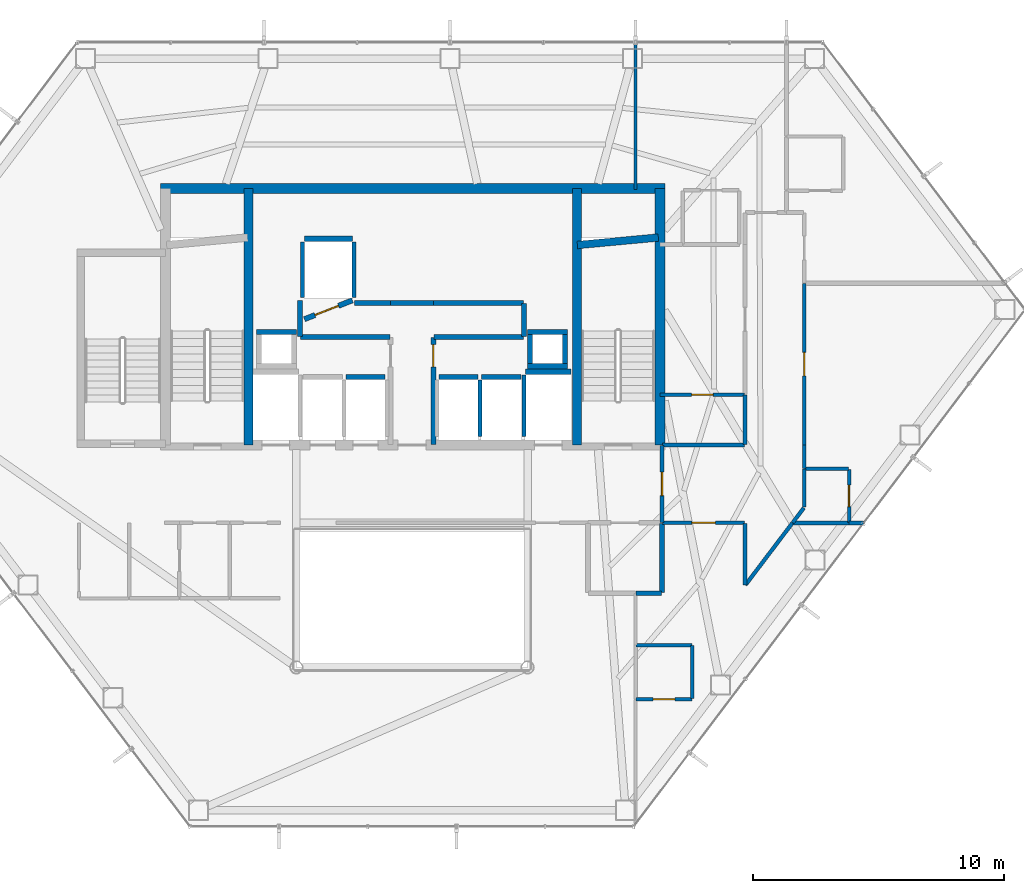
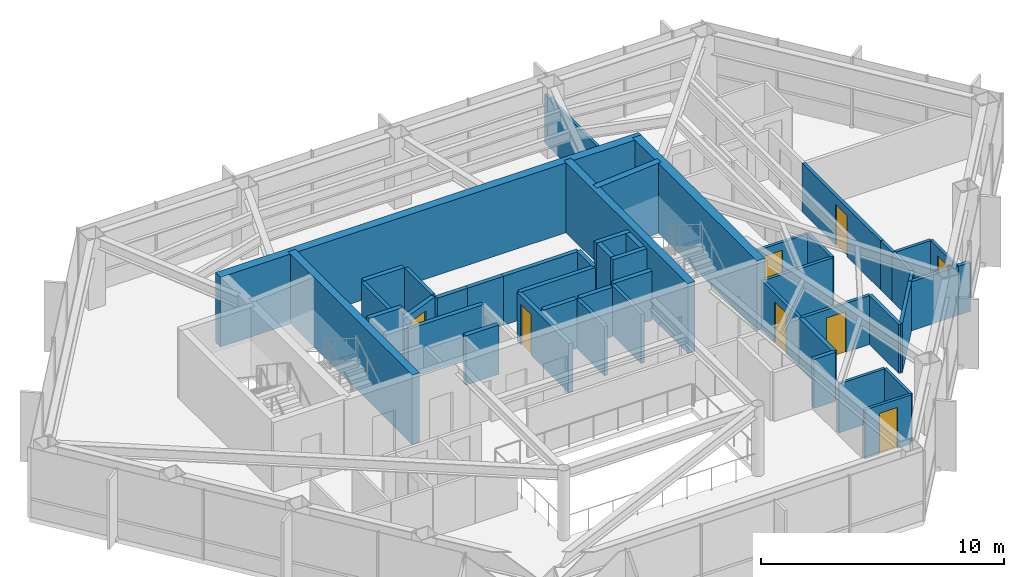
# One storey, part 26 of 28: 49 walls, 8 doors, 8 openings.
"""IFC4 building model written with IfcOpenShell, lengths in metres."""

import ifcopenshell
import ifcopenshell.guid

model = None  # the IFC model being written
_history = None  # IfcOwnerHistory: only IFC2X3 demands one
_inside = {}  # id of a spatial element -> (the spatial element, [elements in it])
_under = {}  # id of a project, library or spatial element -> (it, [spatial elements below it])
_declared = {}  # id of a project -> (the project, [libraries it declares])
_typed = {}  # id of a type object -> (the type object, [elements of that type])
_made_of = {}  # id of a material, layer set ... -> (it, [elements and type objects made of it])


def new_model(schema):
    """Start an empty IFC model of exactly this schema.

    Asked for "IFC4X3", IfcOpenShell would pick the latest addendum, in which some entities
    have other attributes; the version numbers below select the first issue.
    IFC2X3 requires an IfcOwnerHistory on every rooted entity: one is made here for all.
    """
    global model, _history
    if schema == "IFC4X3":
        model = ifcopenshell.file(schema_version=(4, 3, 0, 0))
    else:
        model = ifcopenshell.file(schema=schema)
    _inside.clear()
    _under.clear()
    _declared.clear()
    _typed.clear()
    _made_of.clear()
    _history = None
    if model.schema == "IFC2X3":
        org = make("IfcOrganization", Name="unknown")
        user = make(
            "IfcPersonAndOrganization",
            ThePerson=make("IfcPerson", FamilyName="unknown"),
            TheOrganization=org,
        )
        app = make(
            "IfcApplication",
            ApplicationDeveloper=org,
            Version="unknown",
            ApplicationFullName="unknown",
            ApplicationIdentifier="unknown",
        )
        _history = make(
            "IfcOwnerHistory",
            OwningUser=user,
            OwningApplication=app,
            ChangeAction="ADDED",
            CreationDate=0,
        )
    return model


def make(cls, **values):
    """One entity of the class cls with the attributes given. An attribute that is None is left unset."""
    return model.create_entity(
        cls, **{name: value for name, value in values.items() if value is not None}
    )


def rooted(cls, **values):
    """An entity with a GlobalId (a new one), such as an element, a storey or a relation."""
    return make(cls, GlobalId=ifcopenshell.guid.new(), OwnerHistory=_history, **values)


def si_unit(unit_type, name, prefix=None):
    """IfcSIUnit, for example si_unit("LENGTHUNIT", "METRE", prefix="MILLI")."""
    return make("IfcSIUnit", UnitType=unit_type, Prefix=prefix, Name=name)


def assignment(units):
    """IfcUnitAssignment: the units of a project."""
    return None if units is None else make("IfcUnitAssignment", Units=units)


def point(xyz):
    """IfcCartesianPoint."""
    return None if xyz is None else make("IfcCartesianPoint", Coordinates=xyz)


def direction(xyz):
    """IfcDirection."""
    return None if xyz is None else make("IfcDirection", DirectionRatios=xyz)


def frame(location, z_axis=None, x_axis=None):
    """IfcAxis2Placement3D, a coordinate frame: its origin and axes. An axis left out is left unset."""
    return make(
        "IfcAxis2Placement3D",
        Location=point(location),
        Axis=direction(z_axis),
        RefDirection=direction(x_axis),
    )


def frame_2d(location, x_axis=None):
    """IfcAxis2Placement2D, a coordinate frame in the plane: its origin and x axis."""
    return make(
        "IfcAxis2Placement2D", Location=point(location), RefDirection=direction(x_axis)
    )


def origin():
    """The frame at (0, 0, 0) with its axes left unset."""
    return frame((0.0, 0.0, 0.0))


def place(relative_to, where):
    """IfcLocalPlacement: puts the frame where relative to a parent placement (None: the world)."""
    return make(
        "IfcLocalPlacement", PlacementRelTo=relative_to, RelativePlacement=where
    )


def context(
    kind, dimensions, precision=None, world=None, true_north=None, identifier=None
):
    """IfcGeometricRepresentationContext, for example the 3D "Model" context."""
    return make(
        "IfcGeometricRepresentationContext",
        ContextIdentifier=identifier,
        ContextType=kind,
        CoordinateSpaceDimension=dimensions,
        Precision=precision,
        WorldCoordinateSystem=world,
        TrueNorth=true_north,
    )


def subcontext(parent, identifier, kind, view, scale=None):
    """IfcGeometricRepresentationSubContext, for example "Body" below "Model"."""
    return make(
        "IfcGeometricRepresentationSubContext",
        ContextIdentifier=identifier,
        ContextType=kind,
        ParentContext=parent,
        TargetScale=scale,
        TargetView=view,
    )


def project(units=None, contexts=None):
    """IfcProject with its units and contexts."""
    return rooted(
        "IfcProject",
        Name="project",
        RepresentationContexts=contexts,
        UnitsInContext=assignment(units),
    )


def spatial(cls, under=None, at=None, **own):
    """A site, building, storey or space (cls), placed at a placement, below another one or the project."""
    s = rooted(cls, ObjectPlacement=at, **own)
    if under is not None:
        _under.setdefault(under.id(), (under, []))[1].append(s)
    return s


def profile(cls, at=None, kind="AREA", **sizes):
    """A parametric profile (cls). Its sizes go by their IFC names, for example OverallWidth=200.0."""
    return make(cls, ProfileType=kind, Position=at, **sizes)


def rectangle(**sizes):
    """IfcRectangleProfileDef."""
    return profile("IfcRectangleProfileDef", **sizes)


def extrude(swept, where, along, depth):
    """IfcExtrudedAreaSolid: the profile swept, set in the frame where, extruded along a direction by depth."""
    return make(
        "IfcExtrudedAreaSolid",
        SweptArea=swept,
        Position=where,
        ExtrudedDirection=direction(along),
        Depth=depth,
    )


def shape(context_of_items, identifier, shape_type, items):
    """IfcShapeRepresentation: the items that make up one representation, for example the "Body"."""
    return make(
        "IfcShapeRepresentation",
        ContextOfItems=context_of_items,
        RepresentationIdentifier=identifier,
        RepresentationType=shape_type,
        Items=items,
    )


def material(Name=None, Category=None):
    """IfcMaterial."""
    return make("IfcMaterial", Name=Name, Category=Category)


def layer(
    of_material, thickness, ventilated=None, Name=None, Category=None, Priority=None
):
    """IfcMaterialLayer: one layer of a wall or slab, of a material (None: an air gap)."""
    return make(
        "IfcMaterialLayer",
        Material=of_material,
        LayerThickness=thickness,
        IsVentilated=ventilated,
        Name=Name,
        Category=Category,
        Priority=Priority,
    )


def layer_set(layers, Name=None):
    """IfcMaterialLayerSet."""
    return make("IfcMaterialLayerSet", MaterialLayers=layers, LayerSetName=Name)


def made_of(thing, what):
    """Note that an element or type object is made of a material, layer set ...; save() writes the relation."""
    if what is not None:
        _made_of.setdefault(what.id(), (what, []))[1].append(thing)
    return thing


def type_object(cls, material=None, **own):
    """A type object (cls), such as IfcWallType, which elements share."""
    return made_of(rooted(cls, **own), material)


def element(
    cls,
    number,
    at=None,
    inside=None,
    cuts=None,
    type_object=None,
    material=None,
    context=None,
    identifier="Body",
    shape_type=None,
    held_by="IfcProductDefinitionShape",
    body=None,
    shapes=None,
    **own,
):
    """One element of the class cls, such as IfcWall. Its Tag is "e" and its number.

    at: its placement. inside: the storey or other place that contains it. cuts: it is an
    opening in that element (IfcRelVoidsElement). A single representation is given by context,
    identifier, shape_type and body (its items); several are given by shapes. held_by: the class
    of the entity that holds the representations. save() writes the other relations.
    """
    e = rooted(cls, Tag="e%d" % number, ObjectPlacement=at, **own)
    if body is not None:
        shapes = [shape(context, identifier, shape_type, body)]
    if shapes is not None:
        e.Representation = make(held_by, Representations=shapes)
    if inside is not None:
        _inside.setdefault(inside.id(), (inside, []))[1].append(e)
    if cuts is not None:
        rooted(
            "IfcRelVoidsElement", RelatingBuildingElement=cuts, RelatedOpeningElement=e
        )
    if type_object is not None:
        _typed.setdefault(type_object.id(), (type_object, []))[1].append(e)
    return made_of(e, material)


def fill(opening, filler):
    """IfcRelFillsElement: the door or window that sits in an opening."""
    return rooted(
        "IfcRelFillsElement",
        RelatingOpeningElement=opening,
        RelatedBuildingElement=filler,
    )


def aggregate(whole, parts):
    """IfcRelAggregates: a whole, such as a stair, and the parts it consists of."""
    return rooted("IfcRelAggregates", RelatingObject=whole, RelatedObjects=parts)


def save(model, path):
    """Write the relations noted so far, then the file.

    IfcRelAggregates (storeys below a building ...), IfcRelContainedInSpatialStructure (elements
    in a storey), IfcRelDefinesByType, IfcRelAssociatesMaterial and IfcRelDeclares: one each for
    every whole, place, type object, material and project.
    """
    for whole, parts in _under.values():
        aggregate(whole, parts)
    for where, things in _inside.values():
        rooted(
            "IfcRelContainedInSpatialStructure",
            RelatedElements=things,
            RelatingStructure=where,
        )
    for kind, things in _typed.values():
        rooted("IfcRelDefinesByType", RelatedObjects=things, RelatingType=kind)
    for what, things in _made_of.values():
        rooted("IfcRelAssociatesMaterial", RelatedObjects=things, RelatingMaterial=what)
    for by, libraries in _declared.values():
        rooted("IfcRelDeclares", RelatingContext=by, RelatedDefinitions=libraries)
    model.write(path)


model = new_model("IFC4")

# Units and contexts
model_context = context("Model", 3, precision=1e-05, world=origin(), true_north=direction((0.0, 1.0)))
body_context = subcontext(model_context, "Body", "Model", "MODEL_VIEW")
ifc_project = project(units=[si_unit("LENGTHUNIT", "METRE"), si_unit("AREAUNIT", "SQUARE_METRE"), si_unit("VOLUMEUNIT", "CUBIC_METRE"), si_unit("PLANEANGLEUNIT", "RADIAN"), si_unit("MASSUNIT", "GRAM", prefix="KILO")], contexts=[model_context])

# Site, building, storey
site_placement = place(None, origin())
site = spatial("IfcSite", under=ifc_project, at=site_placement, CompositionType="ELEMENT")
building_placement = place(site_placement, origin())
building = spatial("IfcBuilding", under=site, at=building_placement, Name="Zarrinselat Tower", CompositionType="ELEMENT")
storey_placement = place(building_placement, frame((0.0, 0.0, 127.159912109375)))
storey = spatial("IfcBuildingStorey", under=building, at=storey_placement, Name="L30", CompositionType="ELEMENT", Elevation=127.159912109375)

# Walls
ifc_material_1 = material(Name="Fire-Rated Gypsum Board Partition", Category="gypsum")
ifc_layer_1 = layer(ifc_material_1, 0.1650390625)
ifc_layer_set_1 = layer_set([ifc_layer_1], Name="Fire-Rated Gypsum Board Partition")
wall_type_1 = type_object("IfcWallType", Name="WAL-PART-DEMISE", PredefinedType="PARTITIONING", material=ifc_layer_set_1)
wall_1_placement = place(storey_placement, frame((55.7919921875, 30.14990234375, 0.0), z_axis=(0.0, 0.0, 1.0), x_axis=(1.0, 0.0, 0.0)))
element("IfcWall", 1, at=wall_1_placement, inside=storey, type_object=wall_type_1, Name="L30 Partition Wall 49", PredefinedType="PARTITIONING", context=body_context, shape_type="SweptSolid", body=[
    extrude(rectangle(XDim=0.565185546875, YDim=0.1650390625, at=frame_2d((0.28271484375, 0.0))), origin(), (0.0, 0.0, 1.0), 2.45703125),
])
wall_2_placement = place(storey_placement, frame((53.556884765625, 30.14990234375, 0.0), z_axis=(0.0, 0.0, 1.0), x_axis=(1.0, 0.0, 0.0)))
element("IfcWall", 2, at=wall_2_placement, inside=storey, type_object=wall_type_1, Name="L30 Partition Wall 50", PredefinedType="PARTITIONING", context=body_context, shape_type="SweptSolid", body=[
    extrude(rectangle(XDim=2.22509765625, YDim=0.1650390625, at=frame_2d((1.112548828125, 0.0))), origin(), (0.0, 0.0, 1.0), 2.45703125),
])
ifc_material_2 = material(Name="Concrete C40/50", Category="concrete")
ifc_layer_2 = layer(ifc_material_2, 0.18994140625)
ifc_layer_set_2 = layer_set([ifc_layer_2], Name="Concrete C40/50")
wall_type_2 = type_object("IfcWallType", Name="WAL-PART-EI120", PredefinedType="PARTITIONING", material=ifc_layer_set_2)
wall_3_placement = place(storey_placement, frame((47.304931640625, 27.35009765625, 0.0), z_axis=(0.0, 0.0, 1.0), x_axis=(1.0, 0.0, 0.0)))
element("IfcWall", 3, at=wall_3_placement, inside=storey, type_object=wall_type_2, Name="L30 Partition Wall 18", PredefinedType="PARTITIONING", context=body_context, shape_type="SweptSolid", body=[
    extrude(rectangle(XDim=1.025146484375, YDim=0.18994140625, at=frame_2d((0.5126953125, 0.0))), origin(), (0.0, 0.0, 1.0), 2.45703125),
])
wall_4_placement = place(storey_placement, frame((48.35009765625, 27.3701171875, 0.0), z_axis=(0.0, 0.0, 1.0), x_axis=(0.0, 1.0, 0.0)))
element("IfcWall", 4, at=wall_4_placement, inside=storey, type_object=wall_type_2, Name="L30 Partition Wall 19", PredefinedType="PARTITIONING", context=body_context, shape_type="SweptSolid", body=[
    extrude(rectangle(XDim=2.759765625, YDim=0.18994140625, at=frame_2d((1.3798828125, 0.0))), origin(), (0.0, 0.0, 1.0), 2.45703125),
])

# Wall, opening, door
ifc_material_3 = material(Name="Fire-Rated Gypsum Board Partition", Category="gypsum")
ifc_layer_3 = layer(ifc_material_3, 0.14990234375)
ifc_layer_set_3 = layer_set([ifc_layer_3], Name="Fire-Rated Gypsum Board Partition")
wall_type_3 = type_object("IfcWallType", Name="WAL-PART-EI60", PredefinedType="PARTITIONING", material=ifc_layer_set_3)
wall_5_placement = place(storey_placement, frame((48.35009765625, 30.169921875, 0.0), z_axis=(0.0, 0.0, 1.0), x_axis=(0.0, 1.0, 0.0)))
wall_5 = element("IfcWall", 5, at=wall_5_placement, inside=storey, type_object=wall_type_3, Name="L30 Partition Wall 11", PredefinedType="PARTITIONING", context=body_context, shape_type="SweptSolid", body=[
    extrude(rectangle(XDim=3.06005859375, YDim=0.14990234375, at=frame_2d((1.530029296875, 0.0))), origin(), (0.0, 0.0, 1.0), 2.45703125),
])
opening_1_placement = place(wall_5_placement, frame((1.06005859375, 0.0, 0.0)))
opening_1 = element("IfcOpeningElement", 6, at=opening_1_placement, cuts=wall_5, Name="Opening ID-04", PredefinedType="OPENING", context=body_context, shape_type="SweptSolid", body=[
    extrude(rectangle(XDim=0.93994140625, YDim=2.050048828125, at=frame_2d((0.469970703125, 1.02490234375))), frame((0.0, 0.0849609375, 0.0), z_axis=(0.0, -1.0, 0.0), x_axis=(1.0, 0.0, 0.0)), (0.0, 0.0, 1.0), 0.169921875),
])
ifc_material_4 = material(Name="Fire-Rated Gypsum Board Partition")
door_type_1 = type_object("IfcDoorType", Name="DR-INT-FD30-ENT", OperationType="NOTDEFINED", PredefinedType="DOOR", material=ifc_material_4)
door_1_placement = place(opening_1_placement, origin())
door_1 = element("IfcDoor", 7, at=door_1_placement, inside=storey, type_object=door_type_1, Name="L30 Interior Door P11", OperationType="SINGLE_SWING_RIGHT", OverallHeight=2.050048828125, OverallWidth=0.93994140625, PredefinedType="DOOR", context=body_context, shape_type="SweptSolid", body=[
    extrude(rectangle(XDim=0.93994140625, YDim=2.050048828125, at=frame_2d((0.469970703125, 1.02490234375))), frame((0.0, 0.02490234375, 0.0), z_axis=(0.0, -1.0, 0.0), x_axis=(1.0, 0.0, 0.0)), (0.0, 0.0, 1.0), 0.050048828125),
])
fill(opening_1, door_1)

# Walls
wall_6_placement = place(storey_placement, frame((51.662109375, 27.67529296875, 0.0), z_axis=(0.0, 0.0, 1.0), x_axis=(0.603831940294, 0.797111653334, 0.0)))
element("IfcWall", 8, at=wall_6_placement, inside=storey, type_object=wall_type_3, Name="L30 Partition Wall 20", PredefinedType="PARTITIONING", context=body_context, shape_type="SweptSolid", body=[
    extrude(rectangle(XDim=3.103515625, YDim=0.14990234375, at=frame_2d((1.5517578125, 0.0))), origin(), (0.0, 0.0, 1.0), 2.45703125),
])
wall_7_placement = place(storey_placement, frame((51.64990234375, 27.67919921875, 0.0), z_axis=(0.0, 0.0, 1.0), x_axis=(0.0, 1.0, 0.0)))
element("IfcWall", 9, at=wall_7_placement, inside=storey, type_object=wall_type_3, Name="L30 Partition Wall 21", PredefinedType="PARTITIONING", context=body_context, shape_type="SweptSolid", body=[
    extrude(rectangle(XDim=2.45068359375, YDim=0.14990234375, at=frame_2d((1.225341796875, 0.0))), origin(), (0.0, 0.0, 1.0), 2.45703125),
])

# Wall, opening, door
wall_8_placement = place(storey_placement, frame((48.3701171875, 30.14990234375, 0.0), z_axis=(0.0, 0.0, 1.0), x_axis=(1.0, 0.0, 0.0)))
wall_8 = element("IfcWall", 10, at=wall_8_placement, inside=storey, type_object=wall_type_3, Name="L30 Partition Wall 22", PredefinedType="PARTITIONING", context=body_context, shape_type="SweptSolid", body=[
    extrude(rectangle(XDim=3.259765625, YDim=0.14990234375, at=frame_2d((1.6298828125, 0.0))), origin(), (0.0, 0.0, 1.0), 2.45703125),
])
opening_2_placement = place(wall_8_placement, frame((1.159912109375, 0.0, 0.0)))
opening_2 = element("IfcOpeningElement", 11, at=opening_2_placement, cuts=wall_8, Name="Opening ID-04", PredefinedType="OPENING", context=body_context, shape_type="SweptSolid", body=[
    extrude(rectangle(XDim=0.93994140625, YDim=2.050048828125, at=frame_2d((0.469970703125, 1.02490234375))), frame((0.0, 0.0849609375, 0.0), z_axis=(0.0, -1.0, 0.0), x_axis=(1.0, 0.0, 0.0)), (0.0, 0.0, 1.0), 0.169921875),
])
door_2_placement = place(opening_2_placement, origin())
door_2 = element("IfcDoor", 12, at=door_2_placement, inside=storey, type_object=door_type_1, Name="L30 Interior Door P22", OperationType="SINGLE_SWING_RIGHT", OverallHeight=2.050048828125, OverallWidth=0.93994140625, PredefinedType="DOOR", context=body_context, shape_type="SweptSolid", body=[
    extrude(rectangle(XDim=0.93994140625, YDim=2.050048828125, at=frame_2d((0.469970703125, 1.02490234375))), frame((0.0, 0.02490234375, 0.0), z_axis=(0.0, -1.0, 0.0), x_axis=(1.0, 0.0, 0.0)), (0.0, 0.0, 1.0), 0.050048828125),
])
fill(opening_2, door_2)

wall_9_placement = place(storey_placement, frame((54.0, 33.25, 0.0), z_axis=(0.0, 0.0, 1.0), x_axis=(0.0, 1.0, 0.0)))
wall_9 = element("IfcWall", 13, at=wall_9_placement, inside=storey, type_object=wall_type_3, Name="L30 Partition Wall 23", PredefinedType="PARTITIONING", context=body_context, shape_type="SweptSolid", body=[
    extrude(rectangle(XDim=6.42333984375, YDim=0.14990234375, at=frame_2d((3.211669921875, 0.0))), origin(), (0.0, 0.0, 1.0), 2.45703125),
])
opening_3_placement = place(wall_9_placement, frame((2.74169921875, 0.0, 0.0)))
opening_3 = element("IfcOpeningElement", 14, at=opening_3_placement, cuts=wall_9, Name="Opening ID-04", PredefinedType="OPENING", context=body_context, shape_type="SweptSolid", body=[
    extrude(rectangle(XDim=0.93994140625, YDim=2.050048828125, at=frame_2d((0.469970703125, 1.02490234375))), frame((0.0, 0.0849609375, 0.0), z_axis=(0.0, -1.0, 0.0), x_axis=(1.0, 0.0, 0.0)), (0.0, 0.0, 1.0), 0.169921875),
])
door_3_placement = place(opening_3_placement, origin())
door_3 = element("IfcDoor", 15, at=door_3_placement, inside=storey, type_object=door_type_1, Name="L30 Interior Door P23", OperationType="SINGLE_SWING_LEFT", OverallHeight=2.050048828125, OverallWidth=0.93994140625, PredefinedType="DOOR", context=body_context, shape_type="SweptSolid", body=[
    extrude(rectangle(XDim=0.93994140625, YDim=2.050048828125, at=frame_2d((0.469970703125, 1.02490234375))), frame((0.0, 0.02490234375, 0.0), z_axis=(0.0, -1.0, 0.0), x_axis=(1.0, 0.0, 0.0)), (0.0, 0.0, 1.0), 0.050048828125),
])
fill(opening_3, door_3)

# Walls
wall_10_placement = place(storey_placement, frame((54.0, 32.304931640625, 0.0), z_axis=(0.0, 0.0, 1.0), x_axis=(0.0, 1.0, 0.0)))
element("IfcWall", 16, at=wall_10_placement, inside=storey, type_object=wall_type_3, Name="L30 Partition Wall 24", PredefinedType="PARTITIONING", context=body_context, shape_type="SweptSolid", body=[
    extrude(rectangle(XDim=0.945068359375, YDim=0.14990234375, at=frame_2d((0.47265625, 0.0))), origin(), (0.0, 0.0, 1.0), 2.45703125),
])
wall_11_placement = place(storey_placement, frame((54.0, 30.78125, 0.0), z_axis=(0.0, 0.0, 1.0), x_axis=(0.0, 1.0, 0.0)))
element("IfcWall", 17, at=wall_11_placement, inside=storey, type_object=wall_type_3, Name="L30 Partition Wall 25", PredefinedType="PARTITIONING", context=body_context, shape_type="SweptSolid", body=[
    extrude(rectangle(XDim=1.513671875, YDim=0.14990234375, at=frame_2d((0.7568359375, 0.0))), origin(), (0.0, 0.0, 1.0), 2.45703125),
])
wall_12_placement = place(storey_placement, frame((53.5400390625, 30.154052734375, 0.0), z_axis=(0.0, 0.0, 1.0), x_axis=(0.603680225987, 0.797226557982, 0.0)))
element("IfcWall", 18, at=wall_12_placement, inside=storey, type_object=wall_type_3, Name="L30 Partition Wall 26", PredefinedType="PARTITIONING", context=body_context, shape_type="SweptSolid", body=[
    extrude(rectangle(XDim=0.74169921875, YDim=0.14990234375, at=frame_2d((0.370849609375, 0.0))), origin(), (0.0, 0.0, 1.0), 2.45703125),
])
wall_13_placement = place(storey_placement, frame((48.364990234375, 33.25, 0.0), z_axis=(0.0, 0.0, 1.0), x_axis=(1.0, 0.0, 0.0)))
element("IfcWall", 19, at=wall_13_placement, inside=storey, type_object=wall_type_3, Name="L30 Partition Wall 30", PredefinedType="PARTITIONING", context=body_context, shape_type="SweptSolid", body=[
    extrude(rectangle(XDim=3.264892578125, YDim=0.14990234375, at=frame_2d((1.63232421875, 0.0))), origin(), (0.0, 0.0, 1.0), 2.45703125),
])
wall_14_placement = place(storey_placement, frame((51.64990234375, 33.27001953125, 0.0), z_axis=(0.0, 0.0, 1.0), x_axis=(0.0, 1.0, 0.0)))
element("IfcWall", 20, at=wall_14_placement, inside=storey, type_object=wall_type_3, Name="L30 Partition Wall 31", PredefinedType="PARTITIONING", context=body_context, shape_type="SweptSolid", body=[
    extrude(rectangle(XDim=1.969482421875, YDim=0.14990234375, at=frame_2d((0.98486328125, 0.0))), origin(), (0.0, 0.0, 1.0), 2.45703125),
])
ifc_material_5 = material(Name="Concrete C40/50", Category="concrete")
ifc_layer_4 = layer(ifc_material_5, 0.199951171875)
ifc_layer_set_4 = layer_set([ifc_layer_4], Name="Concrete C40/50")
wall_type_4 = type_object("IfcWallType", Name="WAL-PART-PLANT", PredefinedType="PARTITIONING", material=ifc_layer_set_4)
wall_15_placement = place(storey_placement, frame((33.969970703125, 37.550048828125, 0.0), z_axis=(0.0, 0.0, 1.0), x_axis=(1.0, 0.0, 0.0)))
element("IfcWall", 21, at=wall_15_placement, inside=storey, type_object=wall_type_4, Name="L30 Partition Wall 2", PredefinedType="PARTITIONING", context=body_context, shape_type="SweptSolid", body=[
    extrude(rectangle(XDim=3.56005859375, YDim=0.199951171875, at=frame_2d((1.780029296875, 0.0))), origin(), (0.0, 0.0, 1.0), 2.45703125),
])
wall_16_placement = place(storey_placement, frame((33.949951171875, 37.570068359375, 0.0), z_axis=(0.0, 0.0, 1.0), x_axis=(0.0, 1.0, 0.0)))
element("IfcWall", 22, at=wall_16_placement, inside=storey, type_object=wall_type_4, Name="L30 Partition Wall 3", PredefinedType="PARTITIONING", context=body_context, shape_type="SweptSolid", body=[
    extrude(rectangle(XDim=1.4150390625, YDim=0.199951171875, at=frame_2d((0.70751953125, 0.0))), origin(), (0.0, 0.0, 1.0), 2.45703125),
])
wall_17_placement = place(storey_placement, frame((36.114990234375, 38.889892578125, 0.0), z_axis=(0.0, 0.0, 1.0), x_axis=(1.0, 0.0, 0.0)))
element("IfcWall", 23, at=wall_17_placement, inside=storey, type_object=wall_type_4, Name="L30 Partition Wall 4", PredefinedType="PARTITIONING", context=body_context, shape_type="SweptSolid", body=[
    extrude(rectangle(XDim=1.43505859375, YDim=0.199951171875, at=frame_2d((0.717529296875, 0.0))), origin(), (0.0, 0.0, 1.0), 2.45703125),
])
wall_18_placement = place(storey_placement, frame((37.550048828125, 38.889892578125, 0.0), z_axis=(0.0, 0.0, 1.0), x_axis=(1.0, 0.0, 0.0)))
element("IfcWall", 24, at=wall_18_placement, inside=storey, type_object=wall_type_4, Name="L30 Partition Wall 5", PredefinedType="PARTITIONING", context=body_context, shape_type="SweptSolid", body=[
    extrude(rectangle(XDim=1.699951171875, YDim=0.199951171875, at=frame_2d((0.85009765625, 0.0))), origin(), (0.0, 0.0, 1.0), 2.45703125),
])
wall_19_placement = place(storey_placement, frame((39.25, 38.889892578125, 0.0), z_axis=(0.0, 0.0, 1.0), x_axis=(1.0, 0.0, 0.0)))
element("IfcWall", 25, at=wall_19_placement, inside=storey, type_object=wall_type_4, Name="L30 Partition Wall 6", PredefinedType="PARTITIONING", context=body_context, shape_type="SweptSolid", body=[
    extrude(rectangle(XDim=3.580078125, YDim=0.199951171875, at=frame_2d((1.7900390625, 0.0))), origin(), (0.0, 0.0, 1.0), 2.45703125),
])
wall_20_placement = place(storey_placement, frame((42.85009765625, 37.570068359375, 0.0), z_axis=(0.0, 0.0, 1.0), x_axis=(0.0, 1.0, 0.0)))
element("IfcWall", 26, at=wall_20_placement, inside=storey, type_object=wall_type_4, Name="L30 Partition Wall 7", PredefinedType="PARTITIONING", context=body_context, shape_type="SweptSolid", body=[
    extrude(rectangle(XDim=1.300048828125, YDim=0.199951171875, at=frame_2d((0.64990234375, 0.0))), origin(), (0.0, 0.0, 1.0), 2.45703125),
])
wall_21_placement = place(storey_placement, frame((39.27001953125, 37.550048828125, 0.0), z_axis=(0.0, 0.0, 1.0), x_axis=(1.0, 0.0, 0.0)))
element("IfcWall", 27, at=wall_21_placement, inside=storey, type_object=wall_type_4, Name="L30 Partition Wall 8", PredefinedType="PARTITIONING", context=body_context, shape_type="SweptSolid", body=[
    extrude(rectangle(XDim=3.56005859375, YDim=0.199951171875, at=frame_2d((1.780029296875, 0.0))), origin(), (0.0, 0.0, 1.0), 2.45703125),
])

# Wall, opening, door
wall_22_placement = place(storey_placement, frame((39.25, 33.264892578125, 0.0), z_axis=(0.0, 0.0, 1.0), x_axis=(0.0, 1.0, 0.0)))
wall_22 = element("IfcWall", 28, at=wall_22_placement, inside=storey, type_object=wall_type_4, Name="L30 Partition Wall 9", PredefinedType="PARTITIONING", context=body_context, shape_type="SweptSolid", body=[
    extrude(rectangle(XDim=4.26513671875, YDim=0.199951171875, at=frame_2d((2.132568359375, 0.0))), origin(), (0.0, 0.0, 1.0), 2.45703125),
])
opening_4_placement = place(wall_22_placement, frame((3.092529296875, 0.0, 0.0)))
opening_4 = element("IfcOpeningElement", 29, at=opening_4_placement, cuts=wall_22, Name="Opening ID-03", PredefinedType="OPENING", context=body_context, shape_type="SweptSolid", body=[
    extrude(rectangle(XDim=0.8798828125, YDim=2.050048828125, at=frame_2d((0.43994140625, 1.02490234375))), frame((0.0, 0.10986328125, 0.0), z_axis=(0.0, -1.0, 0.0), x_axis=(1.0, 0.0, 0.0)), (0.0, 0.0, 1.0), 0.219970703125),
])
ifc_material_6 = material(Name="Steel S355J2", Category="steel")
door_type_2 = type_object("IfcDoorType", Name="DR-INT-FD60-S", OperationType="NOTDEFINED", PredefinedType="DOOR", material=ifc_material_6)
door_4_placement = place(opening_4_placement, origin())
door_4 = element("IfcDoor", 30, at=door_4_placement, inside=storey, type_object=door_type_2, Name="L30 Interior Door P9", OperationType="SINGLE_SWING_RIGHT", OverallHeight=2.050048828125, OverallWidth=0.8798828125, PredefinedType="DOOR", context=body_context, shape_type="SweptSolid", body=[
    extrude(rectangle(XDim=0.8798828125, YDim=2.050048828125, at=frame_2d((0.43994140625, 1.02490234375))), frame((0.0, 0.02490234375, 0.0), z_axis=(0.0, -1.0, 0.0), x_axis=(1.0, 0.0, 0.0)), (0.0, 0.0, 1.0), 0.050048828125),
])
fill(opening_4, door_4)

# Wall
ifc_material_7 = material(Name="Fire-Rated Gypsum Board Partition", Category="gypsum")
ifc_layer_5 = layer(ifc_material_7, 0.1201171875)
ifc_layer_set_5 = layer_set([ifc_layer_5], Name="Fire-Rated Gypsum Board Partition")
wall_type_5 = type_object("IfcWallType", Name="WAL-PART-STD", PredefinedType="PARTITIONING", material=ifc_layer_set_5)
wall_23_placement = place(storey_placement, frame((47.300048828125, 43.4150390625, 0.0), z_axis=(0.0, 0.0, 1.0), x_axis=(0.0, 1.0, 0.0)))
element("IfcWall", 31, at=wall_23_placement, inside=storey, type_object=wall_type_5, Name="L30 Partition Wall 45", PredefinedType="PARTITIONING", context=body_context, shape_type="SweptSolid", body=[
    extrude(rectangle(XDim=5.836669921875, YDim=0.1201171875, at=frame_2d((2.91845703125, 0.0))), origin(), (0.0, 0.0, 1.0), 2.45703125),
])

# Wall, opening, door
ifc_material_8 = material(Name="Fire-Rated Gypsum Board Partition", Category="gypsum")
ifc_layer_6 = layer(ifc_material_8, 0.135009765625)
ifc_layer_set_6 = layer_set([ifc_layer_6], Name="Fire-Rated Gypsum Board Partition")
wall_type_6 = type_object("IfcWallType", Name="WAL-PART-WET", PredefinedType="PARTITIONING", material=ifc_layer_set_6)
wall_24_placement = place(storey_placement, frame((47.320068359375, 23.136962890625, 0.0), z_axis=(0.0, 0.0, 1.0), x_axis=(1.0, 0.0, 0.0)))
wall_24 = element("IfcWall", 32, at=wall_24_placement, inside=storey, type_object=wall_type_6, Name="L30 Partition Wall 46", PredefinedType="PARTITIONING", context=body_context, shape_type="SweptSolid", body=[
    extrude(rectangle(XDim=2.2099609375, YDim=0.135009765625, at=frame_2d((1.10498046875, 0.0))), origin(), (0.0, 0.0, 1.0), 2.45703125),
])
opening_5_placement = place(wall_24_placement, frame((0.675048828125, 0.0, 0.0)))
opening_5 = element("IfcOpeningElement", 33, at=opening_5_placement, cuts=wall_24, Name="Opening ID-06", PredefinedType="OPENING", context=body_context, shape_type="SweptSolid", body=[
    extrude(rectangle(XDim=0.860107421875, YDim=2.050048828125, at=frame_2d((0.43017578125, 1.02490234375))), frame((0.0, 0.077392578125, 0.0), z_axis=(0.0, -1.0, 0.0), x_axis=(1.0, 0.0, 0.0)), (0.0, 0.0, 1.0), 0.155029296875),
])
ifc_material_9 = material(Name="Extruded Aluminium Alloy EN AW-6063 T6", Category="aluminium")
door_type_3 = type_object("IfcDoorType", Name="DR-INT-WET-900", OperationType="NOTDEFINED", PredefinedType="DOOR", material=ifc_material_9)
door_5_placement = place(opening_5_placement, origin())
door_5 = element("IfcDoor", 34, at=door_5_placement, inside=storey, type_object=door_type_3, Name="L30 Interior Door P46", OperationType="SINGLE_SWING_LEFT", OverallHeight=2.050048828125, OverallWidth=0.860107421875, PredefinedType="DOOR", context=body_context, shape_type="SweptSolid", body=[
    extrude(rectangle(XDim=0.860107421875, YDim=2.050048828125, at=frame_2d((0.43017578125, 1.02490234375))), frame((0.0, 0.02490234375, 0.0), z_axis=(0.0, -1.0, 0.0), x_axis=(1.0, 0.0, 0.0)), (0.0, 0.0, 1.0), 0.050048828125),
])
fill(opening_5, door_5)

# Walls
wall_25_placement = place(storey_placement, frame((49.550048828125, 23.156982421875, 0.0), z_axis=(0.0, 0.0, 1.0), x_axis=(0.0, 1.0, 0.0)))
element("IfcWall", 35, at=wall_25_placement, inside=storey, type_object=wall_type_6, Name="L30 Partition Wall 47", PredefinedType="PARTITIONING", context=body_context, shape_type="SweptSolid", body=[
    extrude(rectangle(XDim=2.110107421875, YDim=0.135009765625, at=frame_2d((1.05517578125, 0.0))), origin(), (0.0, 0.0, 1.0), 2.45703125),
])
wall_26_placement = place(storey_placement, frame((47.320068359375, 25.287109375, 0.0), z_axis=(0.0, 0.0, 1.0), x_axis=(1.0, 0.0, 0.0)))
element("IfcWall", 36, at=wall_26_placement, inside=storey, type_object=wall_type_6, Name="L30 Partition Wall 48", PredefinedType="PARTITIONING", context=body_context, shape_type="SweptSolid", body=[
    extrude(rectangle(XDim=2.2099609375, YDim=0.135009765625, at=frame_2d((1.10498046875, 0.0))), origin(), (0.0, 0.0, 1.0), 2.45703125),
])

# Wall, opening, door
wall_27_placement = place(storey_placement, frame((55.786865234375, 30.169921875, 0.0), z_axis=(0.0, 0.0, 1.0), x_axis=(0.0, 1.0, 0.0)))
wall_27 = element("IfcWall", 37, at=wall_27_placement, inside=storey, type_object=wall_type_6, Name="L30 Partition Wall 51", PredefinedType="PARTITIONING", context=body_context, shape_type="SweptSolid", body=[
    extrude(rectangle(XDim=2.110107421875, YDim=0.135009765625, at=frame_2d((1.05517578125, 0.0))), origin(), (0.0, 0.0, 1.0), 2.45703125),
])
opening_6_placement = place(wall_27_placement, frame((0.625, 0.0, 0.0)))
opening_6 = element("IfcOpeningElement", 38, at=opening_6_placement, cuts=wall_27, Name="Opening ID-06", PredefinedType="OPENING", context=body_context, shape_type="SweptSolid", body=[
    extrude(rectangle(XDim=0.860107421875, YDim=2.050048828125, at=frame_2d((0.43017578125, 1.02490234375))), frame((0.0, 0.077392578125, 0.0), z_axis=(0.0, -1.0, 0.0), x_axis=(1.0, 0.0, 0.0)), (0.0, 0.0, 1.0), 0.155029296875),
])
door_6_placement = place(opening_6_placement, origin())
door_6 = element("IfcDoor", 39, at=door_6_placement, inside=storey, type_object=door_type_3, Name="L30 Interior Door P51", OperationType="SINGLE_SWING_RIGHT", OverallHeight=2.050048828125, OverallWidth=0.860107421875, PredefinedType="DOOR", context=body_context, shape_type="SweptSolid", body=[
    extrude(rectangle(XDim=0.860107421875, YDim=2.050048828125, at=frame_2d((0.43017578125, 1.02490234375))), frame((0.0, 0.02490234375, 0.0), z_axis=(0.0, -1.0, 0.0), x_axis=(1.0, 0.0, 0.0)), (0.0, 0.0, 1.0), 0.050048828125),
])
fill(opening_6, door_6)

# Wall
wall_28_placement = place(storey_placement, frame((54.02001953125, 32.300048828125, 0.0), z_axis=(0.0, 0.0, 1.0), x_axis=(1.0, 0.0, 0.0)))
element("IfcWall", 40, at=wall_28_placement, inside=storey, type_object=wall_type_6, Name="L30 Partition Wall 52", PredefinedType="PARTITIONING", context=body_context, shape_type="SweptSolid", body=[
    extrude(rectangle(XDim=1.746826171875, YDim=0.135009765625, at=frame_2d((0.87353515625, 0.0))), origin(), (0.0, 0.0, 1.0), 2.45703125),
])

# Wall, opening, door
wall_29_placement = place(storey_placement, frame((48.27490234375, 35.24462890625, 0.0), z_axis=(0.0, 0.0, 1.0), x_axis=(1.0, 0.0, 0.0)))
wall_29 = element("IfcWall", 41, at=wall_29_placement, inside=storey, type_object=wall_type_6, Name="L30 Partition Wall 60", PredefinedType="PARTITIONING", context=body_context, shape_type="SweptSolid", body=[
    extrude(rectangle(XDim=3.35498046875, YDim=0.135009765625, at=frame_2d((1.677490234375, 0.0))), origin(), (0.0, 0.0, 1.0), 2.45703125),
])
opening_7_placement = place(wall_29_placement, frame((1.24755859375, 0.0, 0.0)))
opening_7 = element("IfcOpeningElement", 42, at=opening_7_placement, cuts=wall_29, Name="Opening ID-06", PredefinedType="OPENING", context=body_context, shape_type="SweptSolid", body=[
    extrude(rectangle(XDim=0.860107421875, YDim=2.050048828125, at=frame_2d((0.43017578125, 1.02490234375))), frame((0.0, 0.077392578125, 0.0), z_axis=(0.0, -1.0, 0.0), x_axis=(1.0, 0.0, 0.0)), (0.0, 0.0, 1.0), 0.155029296875),
])
door_7_placement = place(opening_7_placement, origin())
door_7 = element("IfcDoor", 43, at=door_7_placement, inside=storey, type_object=door_type_3, Name="L30 Interior Door P60", OperationType="SINGLE_SWING_RIGHT", OverallHeight=2.050048828125, OverallWidth=0.860107421875, PredefinedType="DOOR", context=body_context, shape_type="SweptSolid", body=[
    extrude(rectangle(XDim=0.860107421875, YDim=2.050048828125, at=frame_2d((0.43017578125, 1.02490234375))), frame((0.0, 0.02490234375, 0.0), z_axis=(0.0, -1.0, 0.0), x_axis=(1.0, 0.0, 0.0)), (0.0, 0.0, 1.0), 0.050048828125),
])
fill(opening_7, door_7)

# Walls
ifc_material_10 = material(Name="Concrete C40/50", Category="concrete")
ifc_layer_7 = layer(ifc_material_10, 0.2099609375)
ifc_layer_set_7 = layer_set([ifc_layer_7], Name="Concrete C40/50")
wall_type_7 = type_object("IfcWallType", Name="WAL-SHAFT-210", PredefinedType="SOLIDWALL", material=ifc_layer_set_7)
wall_30_placement = place(storey_placement, frame((42.919921875, 36.155029296875, 0.0), z_axis=(0.0, 0.0, 1.0), x_axis=(1.0, 0.0, 0.0)))
element("IfcWall", 44, at=wall_30_placement, inside=storey, type_object=wall_type_7, Name="L30 Lift FFL2 North Shaft Wall", PredefinedType="SOLIDWALL", context=body_context, shape_type="SweptSolid", body=[
    extrude(rectangle(XDim=1.800048828125, YDim=0.2099609375, at=frame_2d((0.89990234375, 0.0))), origin(), (0.0, 0.0, 1.0), 2.47216796875),
])
wall_31_placement = place(storey_placement, frame((42.85009765625, 33.580078125, 0.0), z_axis=(0.0, 0.0, 1.0), x_axis=(0.0, 1.0, 0.0)))
element("IfcWall", 45, at=wall_31_placement, inside=storey, type_object=wall_type_7, Name="L30 Lift FFL2 W Shaft Wall", PredefinedType="SOLIDWALL", context=body_context, shape_type="SweptSolid", body=[
    extrude(rectangle(XDim=2.449951171875, YDim=0.159912109375, at=frame_2d((1.22509765625, 0.0))), origin(), (0.0, 0.0, 1.0), 2.47216796875),
])
wall_32_placement = place(storey_placement, frame((35.77001953125, 35.955078125, 0.0), z_axis=(0.0, 0.0, 1.0), x_axis=(1.0, 0.0, 0.0)))
element("IfcWall", 46, at=wall_32_placement, inside=storey, type_object=wall_type_7, Name="L30 Lift PL6 North Shaft Wall", PredefinedType="SOLIDWALL", context=body_context, shape_type="SweptSolid", body=[
    extrude(rectangle(XDim=1.56005859375, YDim=0.2099609375, at=frame_2d((0.780029296875, 0.0))), origin(), (0.0, 0.0, 1.0), 2.47216796875),
])

# Wall, opening, door
wall_33_placement = place(storey_placement, frame((34.1201171875, 38.25, 0.0), z_axis=(0.0, 0.0, 1.0), x_axis=(0.930804993012, 0.36551616241, 0.0)))
wall_33 = element("IfcWall", 47, at=wall_33_placement, inside=storey, type_object=wall_type_7, Name="L30 Lift PL7 Front Shaft Wall", PredefinedType="SOLIDWALL", context=body_context, shape_type="SweptSolid", body=[
    extrude(rectangle(XDim=2.052001953125, YDim=0.2099609375, at=frame_2d((1.02587890625, 0.0))), origin(), (0.0, 0.0, 1.0), 2.47216796875),
])
opening_8_placement = place(wall_33_placement, frame((0.455078125, 0.0, 0.0)))
opening_8 = element("IfcOpeningElement", 48, at=opening_8_placement, cuts=wall_33, Name="Opening LD-PL7", PredefinedType="OPENING", context=body_context, shape_type="SweptSolid", body=[
    extrude(rectangle(XDim=1.0, YDim=2.10009765625, at=frame_2d((0.5, 1.050048828125))), frame((0.0, 0.114990234375, 0.0), z_axis=(0.0, -1.0, 0.0), x_axis=(1.0, 0.0, 0.0)), (0.0, 0.0, 1.0), 0.22998046875),
])
ifc_material_11 = material(Name="Steel S355J2", Category="steel")
door_type_4 = type_object("IfcDoorType", Name="DR-LIFT-PS-1000", OperationType="NOTDEFINED", PredefinedType="DOOR", material=ifc_material_11)
door_8_placement = place(opening_8_placement, origin())
door_8 = element("IfcDoor", 49, at=door_8_placement, inside=storey, type_object=door_type_4, Name="L30 Lift PL7 Sliding Landing Door", OperationType="SLIDING_TO_LEFT", OverallHeight=2.10009765625, OverallWidth=1.0, PredefinedType="DOOR", context=body_context, shape_type="SweptSolid", body=[
    extrude(rectangle(XDim=1.0, YDim=2.10009765625, at=frame_2d((0.5, 1.050048828125))), frame((0.0, 0.02490234375, 0.0), z_axis=(0.0, -1.0, 0.0), x_axis=(1.0, 0.0, 0.0)), (0.0, 0.0, 1.0), 0.050048828125),
])
fill(opening_8, door_8)

# Walls
wall_34_placement = place(storey_placement, frame((34.1201171875, 41.455078125, 0.0), z_axis=(0.0, 0.0, 1.0), x_axis=(1.0, 0.0, 0.0)))
element("IfcWall", 50, at=wall_34_placement, inside=storey, type_object=wall_type_7, Name="L30 Lift PL7 Rear Shaft Wall", PredefinedType="SOLIDWALL", context=body_context, shape_type="SweptSolid", body=[
    extrude(rectangle(XDim=1.909912109375, YDim=0.2099609375, at=frame_2d((0.955078125, 0.0))), origin(), (0.0, 0.0, 1.0), 2.47216796875),
])
for number, where, z_axis, x_axis, name in (
    (51, (34.050048828125, 39.1201171875, 0.0), (0.0, 0.0, 1.0), (0.0, 1.0, 0.0), "L30 Lift PL7 W Shaft Wall"),
    (52, (36.10009765625, 39.1201171875, 0.0), (0.0, 0.0, 1.0), (0.0, 1.0, 0.0), "L30 Lift PL7 E Shaft Wall"),
):
    element("IfcWall", number, at=place(storey_placement, frame(where, z_axis=z_axis, x_axis=x_axis)), inside=storey, type_object=wall_type_7, Name=name, PredefinedType="SOLIDWALL", context=body_context, shape_type="SweptSolid", body=[
        extrude(rectangle(XDim=2.2099609375, YDim=0.159912109375, at=frame_2d((1.10498046875, 0.0))), origin(), (0.0, 0.0, 1.0), 2.47216796875),
    ])
wall_35_placement = place(storey_placement, frame((39.469970703125, 35.955078125, 0.0), z_axis=(0.0, 0.0, 1.0), x_axis=(1.0, 0.0, 0.0)))
element("IfcWall", 53, at=wall_35_placement, inside=storey, type_object=wall_type_7, Name="L30 Lift PL8 North Shaft Wall", PredefinedType="SOLIDWALL", context=body_context, shape_type="SweptSolid", body=[
    extrude(rectangle(XDim=1.56005859375, YDim=0.2099609375, at=frame_2d((0.780029296875, 0.0))), origin(), (0.0, 0.0, 1.0), 2.47216796875),
])
wall_36_placement = place(storey_placement, frame((41.10009765625, 33.580078125, 0.0), z_axis=(0.0, 0.0, 1.0), x_axis=(0.0, 1.0, 0.0)))
element("IfcWall", 54, at=wall_36_placement, inside=storey, type_object=wall_type_7, Name="L30 Lift PL8 E Shaft Wall", PredefinedType="SOLIDWALL", context=body_context, shape_type="SweptSolid", body=[
    extrude(rectangle(XDim=2.25, YDim=0.159912109375, at=frame_2d((1.125, 0.0))), origin(), (0.0, 0.0, 1.0), 2.47216796875),
])
wall_37_placement = place(storey_placement, frame((41.169921875, 35.955078125, 0.0), z_axis=(0.0, 0.0, 1.0), x_axis=(1.0, 0.0, 0.0)))
element("IfcWall", 55, at=wall_37_placement, inside=storey, type_object=wall_type_7, Name="L30 Lift PL9 North Shaft Wall", PredefinedType="SOLIDWALL", context=body_context, shape_type="SweptSolid", body=[
    extrude(rectangle(XDim=1.56005859375, YDim=0.2099609375, at=frame_2d((0.780029296875, 0.0))), origin(), (0.0, 0.0, 1.0), 2.47216796875),
])
for number, where, z_axis, x_axis, name in (
    (56, (32.2099609375, 37.7451171875, 0.0), (0.0, 0.0, 1.0), (1.0, 0.0, 0.0), "L30 Core Riser RSR-W N Shaft Wall"),
    (57, (42.989990234375, 36.375, 0.0), (0.0, 0.0, 1.0), (1.0, 0.0, 0.0), "L30 Core Riser RSR-E S Shaft Wall"),
    (58, (42.989990234375, 37.7451171875, 0.0), (0.0, 0.0, 1.0), (1.0, 0.0, 0.0), "L30 Core Riser RSR-E N Shaft Wall"),
):
    element("IfcWall", number, at=place(storey_placement, frame(where, z_axis=z_axis, x_axis=x_axis)), inside=storey, type_object=wall_type_7, Name=name, PredefinedType="SOLIDWALL", context=body_context, shape_type="SweptSolid", body=[
        extrude(rectangle(XDim=1.60009765625, YDim=0.2099609375, at=frame_2d((0.800048828125, 0.0))), origin(), (0.0, 0.0, 1.0), 3.5),
    ])
for number, where, z_axis, x_axis, name in (
    (59, (43.094970703125, 36.485107421875, 0.0), (0.0, 0.0, 1.0), (0.0, 1.0, 0.0), "L30 Core Riser RSR-E W Shaft Wall"),
    (60, (44.485107421875, 36.485107421875, 0.0), (0.0, 0.0, 1.0), (0.0, 1.0, 0.0), "L30 Core Riser RSR-E E Shaft Wall"),
):
    element("IfcWall", number, at=place(storey_placement, frame(where, z_axis=z_axis, x_axis=x_axis)), inside=storey, type_object=wall_type_7, Name=name, PredefinedType="SOLIDWALL", context=body_context, shape_type="SweptSolid", body=[
        extrude(rectangle(XDim=1.14990234375, YDim=0.2099609375, at=frame_2d((0.574951171875, 0.0))), origin(), (0.0, 0.0, 1.0), 3.5),
    ])
ifc_material_12 = material(Name="Concrete C40/50", Category="concrete")
ifc_layer_8 = layer(ifc_material_12, 0.300048828125)
ifc_layer_set_8 = layer_set([ifc_layer_8], Name="Concrete C40/50")
wall_type_8 = type_object("IfcWallType", Name="WAL-SHEAR-300", PredefinedType="SHEAR", material=ifc_layer_set_8)
wall_38_placement = place(storey_placement, frame((44.97998046875, 41.199951171875, 0.0), z_axis=(0.0, 0.0, 1.0), x_axis=(0.995686468965, 0.09278176286, 0.0)))
element("IfcWall", 61, at=wall_38_placement, inside=storey, type_object=wall_type_8, Name="L30 Stair 2 North Shaft Wall", PredefinedType="SHEAR", context=body_context, shape_type="SweptSolid", body=[
    extrude(rectangle(XDim=3.23388671875, YDim=0.300048828125, at=frame_2d((1.616943359375, 0.0))), origin(), (0.0, 0.0, 1.0), 3.5),
])
ifc_material_13 = material(Name="Concrete C50/60", Category="concrete")
ifc_layer_9 = layer(ifc_material_13, 0.35009765625)
ifc_layer_set_9 = layer_set([ifc_layer_9], Name="Concrete C50/60")
wall_type_9 = type_object("IfcWallType", Name="WAL-SHEAR-350", PredefinedType="SHEAR", material=ifc_layer_set_9)
for number, where, z_axis, x_axis, name in (
    (62, (31.89501953125, 33.25, 0.0), (0.0, 0.0, 1.0), (0.0, 1.0, 0.0), "L30 Core Shear Wall ST1E"),
    (63, (44.965087890625, 33.25, 0.0), (0.0, 0.0, 1.0), (0.0, 1.0, 0.0), "L30 Core Shear Wall ST2W"),
):
    element("IfcWall", number, at=place(storey_placement, frame(where, z_axis=z_axis, x_axis=x_axis)), inside=storey, type_object=wall_type_9, Name=name, PredefinedType="SHEAR", context=body_context, shape_type="SweptSolid", body=[
        extrude(rectangle(XDim=10.199951171875, YDim=0.35009765625, at=frame_2d((5.10009765625, 0.0))), origin(), (0.0, 0.0, 1.0), 3.5),
    ])
ifc_material_14 = material(Name="Concrete C60/75", Category="concrete")
ifc_layer_10 = layer(ifc_material_14, 0.39990234375)
ifc_layer_set_10 = layer_set([ifc_layer_10], Name="Concrete C60/75")
wall_type_10 = type_object("IfcWallType", Name="WAL-SHEAR-400", PredefinedType="SHEAR", material=ifc_layer_set_10)
wall_39_placement = place(storey_placement, frame((28.39990234375, 43.449951171875, 0.0), z_axis=(0.0, 0.0, 1.0), x_axis=(1.0, 0.0, 0.0)))
element("IfcWall", 64, at=wall_39_placement, inside=storey, type_object=wall_type_10, Name="L30 North Core Shear Wall", PredefinedType="SHEAR", context=body_context, shape_type="SweptSolid", body=[
    extrude(rectangle(XDim=20.06005859375, YDim=0.39990234375, at=frame_2d((10.030029296875, 0.0))), origin(), (0.0, 0.0, 1.0), 3.5),
])
wall_40_placement = place(storey_placement, frame((48.260009765625, 33.25, 0.0), z_axis=(0.0, 0.0, 1.0), x_axis=(0.0, 1.0, 0.0)))
element("IfcWall", 65, at=wall_40_placement, inside=storey, type_object=wall_type_10, Name="L30 Core Shear Wall E", PredefinedType="SHEAR", context=body_context, shape_type="SweptSolid", body=[
    extrude(rectangle(XDim=10.199951171875, YDim=0.39990234375, at=frame_2d((5.10009765625, 0.0))), origin(), (0.0, 0.0, 1.0), 3.5),
])

save(model, "model.ifc")
